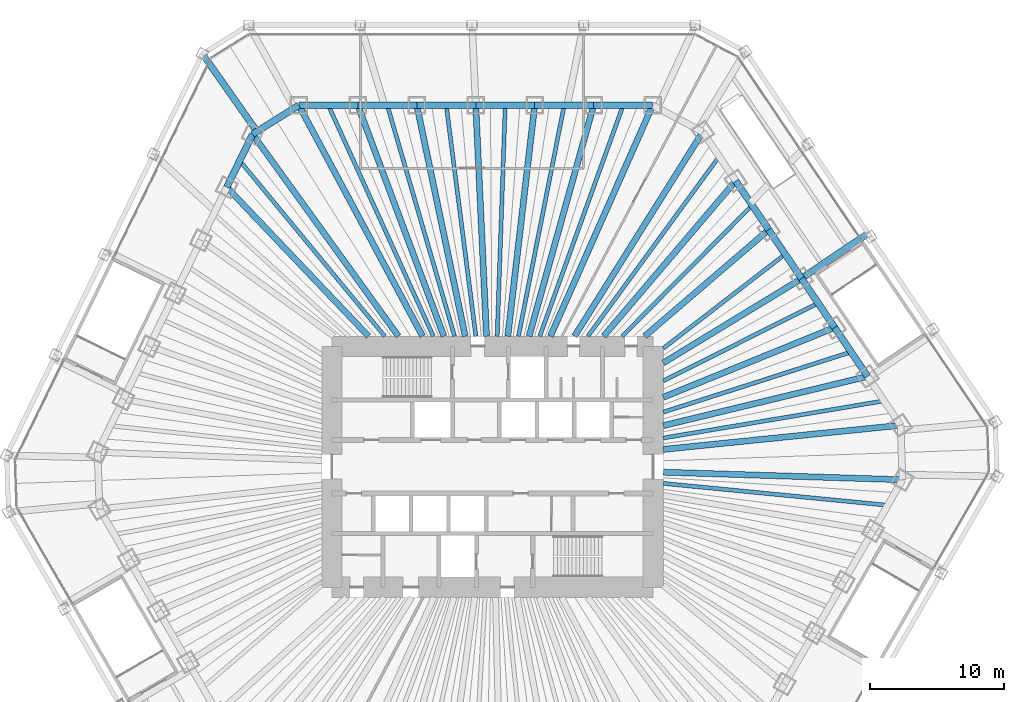
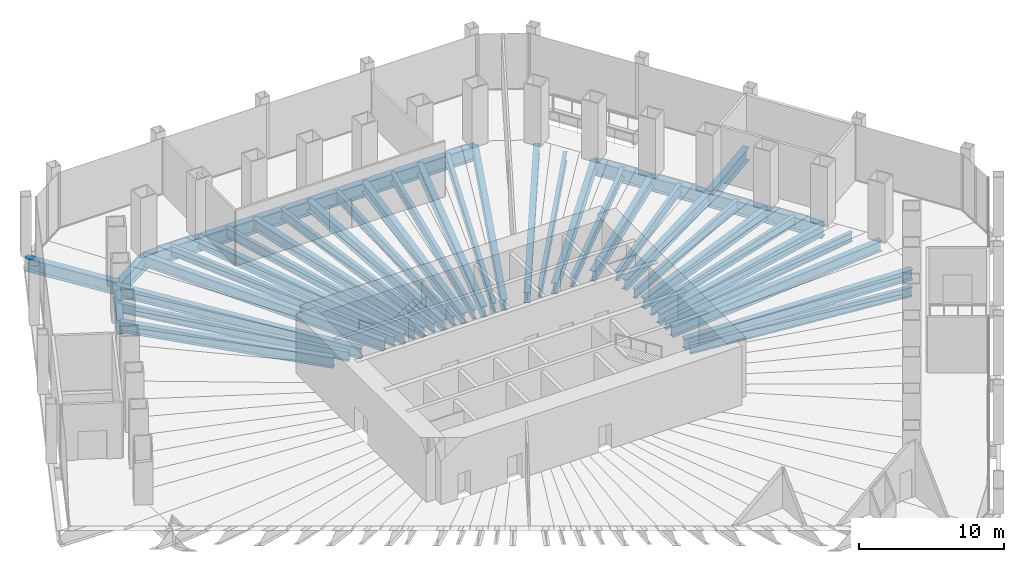
# One storey, part 7 of 18: 45 beams.
"""IFC4 building model written with IfcOpenShell, lengths in metres."""

from ifc_helpers import new_model, si_unit, direction, frame, origin, origin_2d, place, context, subcontext, project, spatial, i_section, extrude, material, material_profile, profile_set, type_object, element, save


model = new_model("IFC4")

# Units and contexts
model_context = context("Model", 3, precision=1e-05, world=origin(), true_north=direction((0.0, 1.0)))
body_context = subcontext(model_context, "Body", "Model", "MODEL_VIEW")
ifc_project = project(units=[si_unit("LENGTHUNIT", "METRE"), si_unit("AREAUNIT", "SQUARE_METRE"), si_unit("VOLUMEUNIT", "CUBIC_METRE"), si_unit("PLANEANGLEUNIT", "RADIAN"), si_unit("MASSUNIT", "GRAM", prefix="KILO")], contexts=[model_context])

# Site, building, storey
site_placement = place(None, origin())
site = spatial("IfcSite", under=ifc_project, at=site_placement, CompositionType="ELEMENT")
building_placement = place(site_placement, origin())
building = spatial("IfcBuilding", under=site, at=building_placement, Name="Qingtian Harvest Tower", CompositionType="ELEMENT")
storey_placement = place(building_placement, frame((0.0, 0.0, 12.0)))
storey = spatial("IfcBuildingStorey", under=building, at=storey_placement, Name="L02", CompositionType="ELEMENT", Elevation=12.0)

# Beams
ifc_material_1 = material(Name="Steel SM570MC", Category="steel")
ifc_material_profile_1 = material_profile(ifc_material_1, i_section(OverallWidth=0.449951171875, OverallDepth=0.89990234375, WebThickness=0.02197265625, FlangeThickness=0.044921875, at=origin_2d()), Name="H900x450x22x45")
ifc_profile_set_1 = profile_set([ifc_material_profile_1], Name="Steel SM570MC")
beam_type_1 = type_object("IfcBeamType", Name="Floor beam FB5 H900x450x22x45", PredefinedType="BEAM", material=ifc_profile_set_1)
beam_1_placement = place(storey_placement, frame((-14.471435546875, 27.0, -0.699951171875), z_axis=(0.472401408299, -0.881383520062, 0.0), x_axis=(0.881383520062, 0.472401408299, 0.0)))
element("IfcBeam", 1, at=beam_1_placement, inside=storey, type_object=beam_type_1, Name="Floor beam FB5 N0", PredefinedType="BEAM", context=body_context, shape_type="SweptSolid", body=[
    extrude(i_section(OverallWidth=0.449951171875, OverallDepth=0.89990234375, WebThickness=0.02197265625, FlangeThickness=0.044921875, at=origin_2d()), origin(), (0.0, 0.0, 1.0), 19.571533203125),
])
beam_2_placement = place(storey_placement, frame((-10.06689453125, 27.0, -0.699951171875), z_axis=(0.349355612113, -0.936990211414, 0.0), x_axis=(0.936990211414, 0.349355612113, 0.0)))
element("IfcBeam", 2, at=beam_2_placement, inside=storey, type_object=beam_type_1, Name="Floor beam FB5 N1", PredefinedType="BEAM", context=body_context, shape_type="SweptSolid", body=[
    extrude(i_section(OverallWidth=0.449951171875, OverallDepth=0.89990234375, WebThickness=0.02197265625, FlangeThickness=0.044921875, at=origin_2d()), origin(), (0.0, 0.0, 1.0), 18.409912109375),
])
beam_3_placement = place(storey_placement, frame((-5.662353515625, 27.0, -0.699951171875), z_axis=(0.205255077335, -0.978708512903, 0.0), x_axis=(0.978708512903, 0.205255077335, 0.0)))
element("IfcBeam", 3, at=beam_3_placement, inside=storey, type_object=beam_type_1, Name="Floor beam FB5 N2", PredefinedType="BEAM", context=body_context, shape_type="SweptSolid", body=[
    extrude(i_section(OverallWidth=0.449951171875, OverallDepth=0.89990234375, WebThickness=0.02197265625, FlangeThickness=0.044921875, at=origin_2d()), origin(), (0.0, 0.0, 1.0), 17.625244140625),
])
beam_4_placement = place(storey_placement, frame((-1.257568359375, 27.0, -0.699951171875), z_axis=(0.046527342366, -0.99891701678, 0.0), x_axis=(0.99891701678, 0.046527342366, 0.0)))
element("IfcBeam", 4, at=beam_4_placement, inside=storey, type_object=beam_type_1, Name="Floor beam FB5 N3", PredefinedType="BEAM", context=body_context, shape_type="SweptSolid", body=[
    extrude(i_section(OverallWidth=0.449951171875, OverallDepth=0.89990234375, WebThickness=0.02197265625, FlangeThickness=0.044921875, at=origin_2d()), origin(), (0.0, 0.0, 1.0), 17.268798828125),
])
beam_5_placement = place(storey_placement, frame((3.14697265625, 27.0, -0.699951171875), z_axis=(-0.115766971807, -0.993276400726, 0.0), x_axis=(0.993276400726, -0.115766971807, 0.0)))
element("IfcBeam", 5, at=beam_5_placement, inside=storey, type_object=beam_type_1, Name="Floor beam FB5 N4", PredefinedType="BEAM", context=body_context, shape_type="SweptSolid", body=[
    extrude(i_section(OverallWidth=0.449951171875, OverallDepth=0.89990234375, WebThickness=0.02197265625, FlangeThickness=0.044921875, at=origin_2d()), origin(), (0.0, 0.0, 1.0), 17.36669921875),
])
beam_6_placement = place(storey_placement, frame((7.551513671875, 27.0, -0.699951171875), z_axis=(-0.269343258019, -0.963044240604, 0.0), x_axis=(0.963044240604, -0.269343258019, 0.0)))
element("IfcBeam", 6, at=beam_6_placement, inside=storey, type_object=beam_type_1, Name="Floor beam FB5 N5", PredefinedType="BEAM", context=body_context, shape_type="SweptSolid", body=[
    extrude(i_section(OverallWidth=0.449951171875, OverallDepth=0.89990234375, WebThickness=0.02197265625, FlangeThickness=0.044921875, at=origin_2d()), origin(), (0.0, 0.0, 1.0), 17.911865234375),
])
beam_7_placement = place(storey_placement, frame((11.9560546875, 27.0, -0.699951171875), z_axis=(-0.404898955654, -0.914361436036, 0.0), x_axis=(0.914361436036, -0.404898955654, 0.0)))
element("IfcBeam", 7, at=beam_7_placement, inside=storey, type_object=beam_type_1, Name="Floor beam FB5 N6", PredefinedType="BEAM", context=body_context, shape_type="SweptSolid", body=[
    extrude(i_section(OverallWidth=0.449951171875, OverallDepth=0.89990234375, WebThickness=0.02197265625, FlangeThickness=0.044921875, at=origin_2d()), origin(), (0.0, 0.0, 1.0), 18.86572265625),
])
beam_8_placement = place(storey_placement, frame((15.6982421875, 25.01025390625, -0.699951171875), z_axis=(-0.531622796942, -0.846981228701, 0.0), x_axis=(0.846981228701, -0.531622796942, 0.0)))
element("IfcBeam", 8, at=beam_8_placement, inside=storey, type_object=beam_type_1, Name="Floor beam FB5 NE0", PredefinedType="BEAM", context=body_context, shape_type="SweptSolid", body=[
    extrude(i_section(OverallWidth=0.449951171875, OverallDepth=0.89990234375, WebThickness=0.02197265625, FlangeThickness=0.044921875, at=origin_2d()), origin(), (0.0, 0.0, 1.0), 18.017333984375),
])
beam_9_placement = place(storey_placement, frame((18.1611328125, 21.358642578125, -0.699951171875), z_axis=(-0.647781887327, -0.761825850474, 0.0), x_axis=(0.761825850474, -0.647781887327, 0.0)))
element("IfcBeam", 9, at=beam_9_placement, inside=storey, type_object=beam_type_1, Name="Floor beam FB5 NE1", PredefinedType="BEAM", context=body_context, shape_type="SweptSolid", body=[
    extrude(i_section(OverallWidth=0.449951171875, OverallDepth=0.89990234375, WebThickness=0.02197265625, FlangeThickness=0.044921875, at=origin_2d()), origin(), (0.0, 0.0, 1.0), 15.238037109375),
])
beam_10_placement = place(storey_placement, frame((20.624267578125, 17.70703125, -0.699951171875), z_axis=(-0.75873153072, -0.651403457384, 0.0), x_axis=(0.651403457384, -0.75873153072, 0.0)))
element("IfcBeam", 10, at=beam_10_placement, inside=storey, type_object=beam_type_1, Name="Floor beam FB5 NE2", PredefinedType="BEAM", context=body_context, shape_type="SweptSolid", body=[
    extrude(i_section(OverallWidth=0.449951171875, OverallDepth=0.89990234375, WebThickness=0.02197265625, FlangeThickness=0.044921875, at=origin_2d()), origin(), (0.0, 0.0, 1.0), 12.21533203125),
])
beam_11_placement = place(storey_placement, frame((23.08740234375, 14.0556640625, -0.699951171875), z_axis=(-0.854157261259, -0.520014781558, 0.0), x_axis=(0.520014781558, -0.854157261259, 0.0)))
element("IfcBeam", 11, at=beam_11_placement, inside=storey, type_object=beam_type_1, Name="Floor beam FB5 NE3", PredefinedType="BEAM", context=body_context, shape_type="SweptSolid", body=[
    extrude(i_section(OverallWidth=0.449951171875, OverallDepth=0.89990234375, WebThickness=0.02197265625, FlangeThickness=0.044921875, at=origin_2d()), origin(), (0.0, 0.0, 1.0), 12.1025390625),
])
beam_12_placement = place(storey_placement, frame((25.55029296875, 10.404052734375, -0.699951171875), z_axis=(-0.926156354735, -0.37713977062, 0.0), x_axis=(0.37713977062, -0.926156354735, 0.0)))
element("IfcBeam", 12, at=beam_12_placement, inside=storey, type_object=beam_type_1, Name="Floor beam FB5 NE4", PredefinedType="BEAM", context=body_context, shape_type="SweptSolid", body=[
    extrude(i_section(OverallWidth=0.449951171875, OverallDepth=0.89990234375, WebThickness=0.02197265625, FlangeThickness=0.044921875, at=origin_2d()), origin(), (0.0, 0.0, 1.0), 13.82080078125),
])
beam_13_placement = place(storey_placement, frame((28.013427734375, 6.75244140625, -0.699951171875), z_axis=(-0.972155908389, -0.234334994792, 0.0), x_axis=(0.234334994792, -0.972155908389, 0.0)))
element("IfcBeam", 13, at=beam_13_placement, inside=storey, type_object=beam_type_1, Name="Floor beam FB5 NE5", PredefinedType="BEAM", context=body_context, shape_type="SweptSolid", body=[
    extrude(i_section(OverallWidth=0.449951171875, OverallDepth=0.89990234375, WebThickness=0.02197265625, FlangeThickness=0.044921875, at=origin_2d()), origin(), (0.0, 0.0, 1.0), 15.70068359375),
])
beam_14_placement = place(storey_placement, frame((30.476318359375, 3.100830078125, -0.699951171875), z_axis=(-0.994864371567, -0.101217005423, 0.0), x_axis=(0.101217005423, -0.994864371567, 0.0)))
element("IfcBeam", 14, at=beam_14_placement, inside=storey, type_object=beam_type_1, Name="Floor beam FB5 NE6", PredefinedType="BEAM", context=body_context, shape_type="SweptSolid", body=[
    extrude(i_section(OverallWidth=0.449951171875, OverallDepth=0.89990234375, WebThickness=0.02197265625, FlangeThickness=0.044921875, at=origin_2d()), origin(), (0.0, 0.0, 1.0), 17.81787109375),
])
beam_15_placement = place(storey_placement, frame((30.618408203125, -0.96728515625, -0.699951171875), z_axis=(-0.999501426546, 0.031573696842, 0.0), x_axis=(-0.031573696842, -0.999501426546, 0.0)))
element("IfcBeam", 15, at=beam_15_placement, inside=storey, type_object=beam_type_1, Name="Floor beam FB5 SE0", PredefinedType="BEAM", context=body_context, shape_type="SweptSolid", body=[
    extrude(i_section(OverallWidth=0.449951171875, OverallDepth=0.89990234375, WebThickness=0.02197265625, FlangeThickness=0.044921875, at=origin_2d()), origin(), (0.0, 0.0, 1.0), 17.87744140625),
])
beam_16_placement = place(storey_placement, frame((-19.8544921875, 20.884033203125, -0.699951171875), z_axis=(0.689018801535, -0.724743465739, 0.0), x_axis=(0.724743465739, 0.689018801535, 0.0)))
element("IfcBeam", 16, at=beam_16_placement, inside=storey, type_object=beam_type_1, Name="Floor beam FB5 NW5", PredefinedType="BEAM", context=body_context, shape_type="SweptSolid", body=[
    extrude(i_section(OverallWidth=0.449951171875, OverallDepth=0.89990234375, WebThickness=0.02197265625, FlangeThickness=0.044921875, at=origin_2d()), origin(), (0.0, 0.0, 1.0), 15.36279296875),
])
beam_17_placement = place(storey_placement, frame((-17.923583984375, 24.8427734375, -0.699951171875), z_axis=(0.585095822328, -0.810964166098, 0.0), x_axis=(0.810964166098, 0.585095822328, 0.0)))
element("IfcBeam", 17, at=beam_17_placement, inside=storey, type_object=beam_type_1, Name="Floor beam FB5 NW6", PredefinedType="BEAM", context=body_context, shape_type="SweptSolid", body=[
    extrude(i_section(OverallWidth=0.449951171875, OverallDepth=0.89990234375, WebThickness=0.02197265625, FlangeThickness=0.044921875, at=origin_2d()), origin(), (0.0, 0.0, 1.0), 18.61083984375),
])
ifc_material_2 = material(Name="Steel SM570MC", Category="steel")
ifc_material_profile_2 = material_profile(ifc_material_2, i_section(OverallWidth=0.5, OverallDepth=1.10009765625, WebThickness=0.02490234375, FlangeThickness=0.050048828125, at=origin_2d()), Name="H1100x500x25x50")
ifc_profile_set_2 = profile_set([ifc_material_profile_2], Name="Steel SM570MC")
beam_type_2 = type_object("IfcBeamType", Name="Floor beam FB6 H1100x500x25x50", PredefinedType="BEAM", material=ifc_profile_set_2)
beam_18_placement = place(storey_placement, frame((28.050048828125, 17.427734375, -0.800048828125), z_axis=(-0.829026943096, -0.559208661969, 0.0), x_axis=(0.559208661969, -0.829026943096, 0.0)))
element("IfcBeam", 18, at=beam_18_placement, inside=storey, type_object=beam_type_2, Name="Podium floor beam FB6 NE2", PredefinedType="BEAM", context=body_context, shape_type="SweptSolid", body=[
    extrude(i_section(OverallWidth=0.5, OverallDepth=1.10009765625, WebThickness=0.02490234375, FlangeThickness=0.050048828125, at=origin_2d()), origin(), (0.0, 0.0, 1.0), 6.0),
])
beam_19_placement = place(storey_placement, frame((-21.6728515625, 30.8427734375, -0.800048828125), z_axis=(0.574952997863, -0.818186439785, 0.0), x_axis=(0.818186439785, 0.574952997863, 0.0)))
element("IfcBeam", 19, at=beam_19_placement, inside=storey, type_object=beam_type_2, Name="Podium floor beam FB6 NW4", PredefinedType="BEAM", context=body_context, shape_type="SweptSolid", body=[
    extrude(i_section(OverallWidth=0.5, OverallDepth=1.10009765625, WebThickness=0.02490234375, FlangeThickness=0.050048828125, at=origin_2d()), origin(), (0.0, 0.0, 1.0), 7.08544921875),
])
ifc_material_3 = material(Name="Steel SN490B", Category="steel")
ifc_material_profile_3 = material_profile(ifc_material_3, i_section(OverallWidth=0.300048828125, OverallDepth=0.800048828125, WebThickness=0.013916015625, FlangeThickness=0.02587890625, at=origin_2d()), Name="H800x300x14x26")
ifc_profile_set_3 = profile_set([ifc_material_profile_3], Name="Steel SN490B")
beam_type_3 = type_object("IfcBeamType", Name="Floor joist J1 H800x300x14x26", PredefinedType="JOIST", material=ifc_profile_set_3)
beam_20_placement = place(storey_placement, frame((-12.269287109375, 27.0, -0.64990234375), z_axis=(0.413713629402, -0.910407069858, 0.0), x_axis=(0.910407069858, 0.413713629402, 0.0)))
element("IfcBeam", 20, at=beam_20_placement, inside=storey, type_object=beam_type_3, Name="Floor joist J1 N0", PredefinedType="JOIST", context=body_context, shape_type="SweptSolid", body=[
    extrude(i_section(OverallWidth=0.300048828125, OverallDepth=0.800048828125, WebThickness=0.013916015625, FlangeThickness=0.02587890625, at=origin_2d()), origin(), (0.0, 0.0, 1.0), 18.947509765625),
])
beam_21_placement = place(storey_placement, frame((-7.864501953125, 27.0, -0.64990234375), z_axis=(0.279649335299, -0.960102207719, 0.0), x_axis=(0.960102207719, 0.279649335299, 0.0)))
element("IfcBeam", 21, at=beam_21_placement, inside=storey, type_object=beam_type_3, Name="Floor joist J1 N1", PredefinedType="JOIST", context=body_context, shape_type="SweptSolid", body=[
    extrude(i_section(OverallWidth=0.300048828125, OverallDepth=0.800048828125, WebThickness=0.013916015625, FlangeThickness=0.02587890625, at=origin_2d()), origin(), (0.0, 0.0, 1.0), 17.966796875),
])
beam_22_placement = place(storey_placement, frame((-3.4599609375, 27.0, -0.64990234375), z_axis=(0.127102696173, -0.991889562716, 0.0), x_axis=(0.991889562716, 0.127102696173, 0.0)))
element("IfcBeam", 22, at=beam_22_placement, inside=storey, type_object=beam_type_3, Name="Floor joist J1 N2", PredefinedType="JOIST", context=body_context, shape_type="SweptSolid", body=[
    extrude(i_section(OverallWidth=0.300048828125, OverallDepth=0.800048828125, WebThickness=0.013916015625, FlangeThickness=0.02587890625, at=origin_2d()), origin(), (0.0, 0.0, 1.0), 17.39111328125),
])
beam_23_placement = place(storey_placement, frame((0.944580078125, 27.0, -0.64990234375), z_axis=(-0.034965020137, -0.99938853674, 0.0), x_axis=(0.99938853674, -0.034965020137, 0.0)))
element("IfcBeam", 23, at=beam_23_placement, inside=storey, type_object=beam_type_3, Name="Floor joist J1 N3", PredefinedType="JOIST", context=body_context, shape_type="SweptSolid", body=[
    extrude(i_section(OverallWidth=0.300048828125, OverallDepth=0.800048828125, WebThickness=0.013916015625, FlangeThickness=0.02587890625, at=origin_2d()), origin(), (0.0, 0.0, 1.0), 17.260498046875),
])
beam_24_placement = place(storey_placement, frame((5.349365234375, 27.0, -0.64990234375), z_axis=(-0.19435104803, -0.980932041545, 0.0), x_axis=(0.980932041545, -0.19435104803, 0.0)))
element("IfcBeam", 24, at=beam_24_placement, inside=storey, type_object=beam_type_3, Name="Floor joist J1 N4", PredefinedType="JOIST", context=body_context, shape_type="SweptSolid", body=[
    extrude(i_section(OverallWidth=0.300048828125, OverallDepth=0.800048828125, WebThickness=0.013916015625, FlangeThickness=0.02587890625, at=origin_2d()), origin(), (0.0, 0.0, 1.0), 17.585205078125),
])
beam_25_placement = place(storey_placement, frame((9.75390625, 27.0, -0.64990234375), z_axis=(-0.339766141765, -0.940509951521, 0.0), x_axis=(0.940509951521, -0.339766141765, 0.0)))
element("IfcBeam", 25, at=beam_25_placement, inside=storey, type_object=beam_type_3, Name="Floor joist J1 N5", PredefinedType="JOIST", context=body_context, shape_type="SweptSolid", body=[
    extrude(i_section(OverallWidth=0.300048828125, OverallDepth=0.800048828125, WebThickness=0.013916015625, FlangeThickness=0.02587890625, at=origin_2d()), origin(), (0.0, 0.0, 1.0), 18.341064453125),
])
beam_26_placement = place(storey_placement, frame((16.9296875, 23.1845703125, -0.64990234375), z_axis=(-0.589722175422, -0.80760618857, 0.0), x_axis=(0.80760618857, -0.589722175422, 0.0)))
element("IfcBeam", 26, at=beam_26_placement, inside=storey, type_object=beam_type_3, Name="Floor joist J1 NE0", PredefinedType="JOIST", context=body_context, shape_type="SweptSolid", body=[
    extrude(i_section(OverallWidth=0.300048828125, OverallDepth=0.800048828125, WebThickness=0.013916015625, FlangeThickness=0.02587890625, at=origin_2d()), origin(), (0.0, 0.0, 1.0), 16.635009765625),
])
beam_27_placement = place(storey_placement, frame((19.392822265625, 19.532958984375, -0.64990234375), z_axis=(-0.704560879039, -0.709643549768, 0.0), x_axis=(0.709643549768, -0.704560879039, 0.0)))
element("IfcBeam", 27, at=beam_27_placement, inside=storey, type_object=beam_type_3, Name="Floor joist J1 NE1", PredefinedType="JOIST", context=body_context, shape_type="SweptSolid", body=[
    extrude(i_section(OverallWidth=0.300048828125, OverallDepth=0.800048828125, WebThickness=0.013916015625, FlangeThickness=0.02587890625, at=origin_2d()), origin(), (0.0, 0.0, 1.0), 13.78564453125),
])
beam_28_placement = place(storey_placement, frame((21.855712890625, 15.88134765625, -0.64990234375), z_axis=(-0.79149450594, -0.611176281499, 0.0), x_axis=(0.611176281499, -0.79149450594, 0.0)))
element("IfcBeam", 28, at=beam_28_placement, inside=storey, type_object=beam_type_3, Name="Floor joist J1 NE2", PredefinedType="JOIST", context=body_context, shape_type="SweptSolid", body=[
    extrude(i_section(OverallWidth=0.300048828125, OverallDepth=0.800048828125, WebThickness=0.013916015625, FlangeThickness=0.02587890625, at=origin_2d()), origin(), (0.0, 0.0, 1.0), 11.50439453125),
])
beam_29_placement = place(storey_placement, frame((24.31884765625, 12.229736328125, -0.64990234375), z_axis=(-0.893391632689, -0.449278744924, 0.0), x_axis=(0.449278744924, -0.893391632689, 0.0)))
element("IfcBeam", 29, at=beam_29_placement, inside=storey, type_object=beam_type_3, Name="Floor joist J1 NE3", PredefinedType="JOIST", context=body_context, shape_type="SweptSolid", body=[
    extrude(i_section(OverallWidth=0.300048828125, OverallDepth=0.800048828125, WebThickness=0.013916015625, FlangeThickness=0.02587890625, at=origin_2d()), origin(), (0.0, 0.0, 1.0), 12.949462890625),
])
beam_30_placement = place(storey_placement, frame((26.78173828125, 8.578125, -0.64990234375), z_axis=(-0.952340804978, -0.305036048976, 0.0), x_axis=(0.305036048976, -0.952340804978, 0.0)))
element("IfcBeam", 30, at=beam_30_placement, inside=storey, type_object=beam_type_3, Name="Floor joist J1 NE4", PredefinedType="JOIST", context=body_context, shape_type="SweptSolid", body=[
    extrude(i_section(OverallWidth=0.300048828125, OverallDepth=0.800048828125, WebThickness=0.013916015625, FlangeThickness=0.02587890625, at=origin_2d()), origin(), (0.0, 0.0, 1.0), 14.73388671875),
])
beam_31_placement = place(storey_placement, frame((29.244873046875, 4.926513671875, -0.64990234375), z_axis=(-0.986107238024, -0.166109948877, 0.0), x_axis=(0.166109948877, -0.986107238024, 0.0)))
element("IfcBeam", 31, at=beam_31_placement, inside=storey, type_object=beam_type_3, Name="Floor joist J1 NE5", PredefinedType="JOIST", context=body_context, shape_type="SweptSolid", body=[
    extrude(i_section(OverallWidth=0.300048828125, OverallDepth=0.800048828125, WebThickness=0.013916015625, FlangeThickness=0.02587890625, at=origin_2d()), origin(), (0.0, 0.0, 1.0), 16.727294921875),
])
beam_32_placement = place(storey_placement, frame((29.517333984375, -2.87451171875, -0.64990234375), z_axis=(-0.995291970786, 0.096922097011, 0.0), x_axis=(-0.096922097011, -0.995291970786, 0.0)))
element("IfcBeam", 32, at=beam_32_placement, inside=storey, type_object=beam_type_3, Name="Floor joist J1 SE0", PredefinedType="JOIST", context=body_context, shape_type="SweptSolid", body=[
    extrude(i_section(OverallWidth=0.300048828125, OverallDepth=0.800048828125, WebThickness=0.013916015625, FlangeThickness=0.02587890625, at=origin_2d()), origin(), (0.0, 0.0, 1.0), 16.8466796875),
])
beam_33_placement = place(storey_placement, frame((-18.888916015625, 22.863525390625, -0.64990234375), z_axis=(0.636910378144, -0.77093785107, 0.0), x_axis=(0.77093785107, 0.636910378144, 0.0)))
element("IfcBeam", 33, at=beam_33_placement, inside=storey, type_object=beam_type_3, Name="Floor joist J1 NW5", PredefinedType="JOIST", context=body_context, shape_type="SweptSolid", body=[
    extrude(i_section(OverallWidth=0.300048828125, OverallDepth=0.800048828125, WebThickness=0.013916015625, FlangeThickness=0.02587890625, at=origin_2d()), origin(), (0.0, 0.0, 1.0), 17.009765625),
])
ifc_material_4 = material(Name="Steel SM570MC", Category="steel")
ifc_material_profile_4 = material_profile(ifc_material_4, i_section(OverallWidth=0.5, OverallDepth=1.199951171875, WebThickness=0.02490234375, FlangeThickness=0.050048828125, at=origin_2d()), Name="H1200x500x25x50")
ifc_profile_set_4 = profile_set([ifc_material_profile_4], Name="Steel SM570MC")
beam_type_4 = type_object("IfcBeamType", Name="Spandrel beam SB1 H1200x500x25x50", PredefinedType="SPANDREL", material=ifc_profile_set_4)
for number, where, z_axis, x_axis, name in (
    (34, (-14.471435546875, 27.0, -0.85009765625), (1.0, 0.0, 0.0), (0.0, 1.0, 0.0), "Spandrel SB1 N0"),
    (35, (-10.06689453125, 27.0, -0.85009765625), (1.0, 0.0, 0.0), (0.0, 1.0, 0.0), "Spandrel SB1 N1"),
):
    element("IfcBeam", number, at=place(storey_placement, frame(where, z_axis=z_axis, x_axis=x_axis)), inside=storey, type_object=beam_type_4, Name=name, PredefinedType="SPANDREL", context=body_context, shape_type="SweptSolid", body=[
        extrude(i_section(OverallWidth=0.5, OverallDepth=1.199951171875, WebThickness=0.02490234375, FlangeThickness=0.050048828125, at=origin_2d()), origin(), (0.0, 0.0, 1.0), 4.404541015625),
    ])
beam_34_placement = place(storey_placement, frame((-5.662353515625, 27.0, -0.85009765625), z_axis=(1.0, 0.0, 0.0), x_axis=(0.0, 1.0, 0.0)))
element("IfcBeam", 36, at=beam_34_placement, inside=storey, type_object=beam_type_4, Name="Spandrel SB1 N2", PredefinedType="SPANDREL", context=body_context, shape_type="SweptSolid", body=[
    extrude(i_section(OverallWidth=0.5, OverallDepth=1.199951171875, WebThickness=0.02490234375, FlangeThickness=0.050048828125, at=origin_2d()), origin(), (0.0, 0.0, 1.0), 4.40478515625),
])
for number, where, z_axis, x_axis, name in (
    (37, (-1.257568359375, 27.0, -0.85009765625), (1.0, 0.0, 0.0), (0.0, 1.0, 0.0), "Spandrel SB1 N3"),
    (38, (3.14697265625, 27.0, -0.85009765625), (1.0, 0.0, 0.0), (0.0, 1.0, 0.0), "Spandrel SB1 N4"),
    (39, (7.551513671875, 27.0, -0.85009765625), (1.0, 0.0, 0.0), (0.0, 1.0, 0.0), "Spandrel SB1 N5"),
):
    element("IfcBeam", number, at=place(storey_placement, frame(where, z_axis=z_axis, x_axis=x_axis)), inside=storey, type_object=beam_type_4, Name=name, PredefinedType="SPANDREL", context=body_context, shape_type="SweptSolid", body=[
        extrude(i_section(OverallWidth=0.5, OverallDepth=1.199951171875, WebThickness=0.02490234375, FlangeThickness=0.050048828125, at=origin_2d()), origin(), (0.0, 0.0, 1.0), 4.404541015625),
    ])
beam_35_placement = place(storey_placement, frame((18.1611328125, 21.358642578125, -0.85009765625), z_axis=(0.559207231603, -0.829027907928, 0.0), x_axis=(0.829027907928, 0.559207231603, 0.0)))
element("IfcBeam", 40, at=beam_35_placement, inside=storey, type_object=beam_type_4, Name="Spandrel SB1 NE1", PredefinedType="SPANDREL", context=body_context, shape_type="SweptSolid", body=[
    extrude(i_section(OverallWidth=0.5, OverallDepth=1.199951171875, WebThickness=0.02490234375, FlangeThickness=0.050048828125, at=origin_2d()), origin(), (0.0, 0.0, 1.0), 4.40478515625),
])
for number, where, z_axis, x_axis, name in (
    (41, (20.624267578125, 17.70703125, -0.85009765625), (0.559232928578, -0.829010573874, 0.0), (0.829010573874, 0.559232928578, 0.0), "Spandrel SB1 NE2"),
    (42, (23.08740234375, 14.0556640625, -0.85009765625), (0.559169135272, -0.829053603912, 0.0), (0.829053603912, 0.559169135272, 0.0), "Spandrel SB1 NE3"),
):
    element("IfcBeam", number, at=place(storey_placement, frame(where, z_axis=z_axis, x_axis=x_axis)), inside=storey, type_object=beam_type_4, Name=name, PredefinedType="SPANDREL", context=body_context, shape_type="SweptSolid", body=[
        extrude(i_section(OverallWidth=0.5, OverallDepth=1.199951171875, WebThickness=0.02490234375, FlangeThickness=0.050048828125, at=origin_2d()), origin(), (0.0, 0.0, 1.0), 4.404541015625),
    ])
beam_36_placement = place(storey_placement, frame((25.55029296875, 10.404052734375, -0.85009765625), z_axis=(0.559207231603, -0.829027907928, 0.0), x_axis=(0.829027907928, 0.559207231603, 0.0)))
element("IfcBeam", 43, at=beam_36_placement, inside=storey, type_object=beam_type_4, Name="Spandrel SB1 NE4", PredefinedType="SPANDREL", context=body_context, shape_type="SweptSolid", body=[
    extrude(i_section(OverallWidth=0.5, OverallDepth=1.199951171875, WebThickness=0.02490234375, FlangeThickness=0.050048828125, at=origin_2d()), origin(), (0.0, 0.0, 1.0), 4.40478515625),
])
beam_37_placement = place(storey_placement, frame((-19.8544921875, 20.884033203125, -0.85009765625), z_axis=(0.438389777529, 0.898784959241, 0.0), x_axis=(-0.898784959241, 0.438389777529, 0.0)))
element("IfcBeam", 44, at=beam_37_placement, inside=storey, type_object=beam_type_4, Name="Spandrel SB1 NW5", PredefinedType="SPANDREL", context=body_context, shape_type="SweptSolid", body=[
    extrude(i_section(OverallWidth=0.5, OverallDepth=1.199951171875, WebThickness=0.02490234375, FlangeThickness=0.050048828125, at=origin_2d()), origin(), (0.0, 0.0, 1.0), 4.404541015625),
])
beam_38_placement = place(storey_placement, frame((-17.923583984375, 24.8427734375, -0.85009765625), z_axis=(0.848038733752, 0.529934246919, 0.0), x_axis=(-0.529934246919, 0.848038733752, 0.0)))
element("IfcBeam", 45, at=beam_38_placement, inside=storey, type_object=beam_type_4, Name="Spandrel SB1 NWC", PredefinedType="SPANDREL", context=body_context, shape_type="SweptSolid", body=[
    extrude(i_section(OverallWidth=0.5, OverallDepth=1.199951171875, WebThickness=0.02490234375, FlangeThickness=0.050048828125, at=origin_2d()), origin(), (0.0, 0.0, 1.0), 4.07080078125),
])

save(model, "model.ifc")
